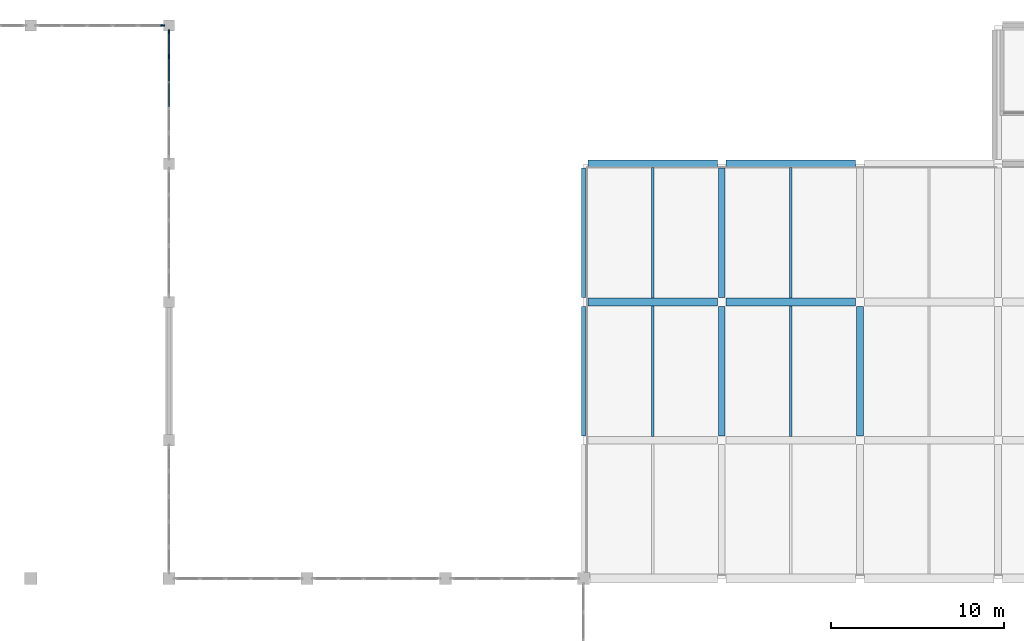
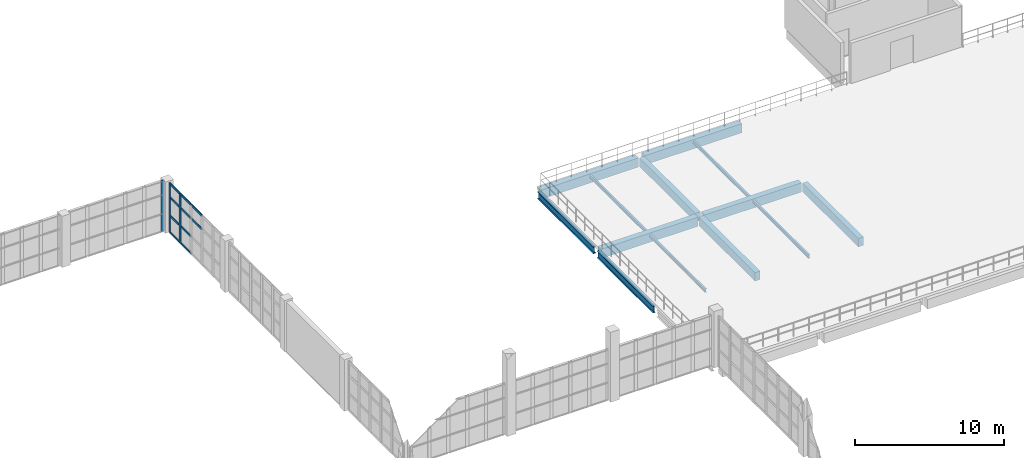
# One storey, part 23 of 66: 13 beams, 13 members, 2 elements without a shape of their own.
"""IFC4 building model written with IfcOpenShell, lengths in metres."""

import ifcopenshell
import ifcopenshell.guid

model = None  # the IFC model being written
_history = None  # IfcOwnerHistory: only IFC2X3 demands one
_inside = {}  # id of a spatial element -> (the spatial element, [elements in it])
_under = {}  # id of a project, library or spatial element -> (it, [spatial elements below it])
_declared = {}  # id of a project -> (the project, [libraries it declares])
_typed = {}  # id of a type object -> (the type object, [elements of that type])
_made_of = {}  # id of a material, layer set ... -> (it, [elements and type objects made of it])


def new_model(schema):
    """Start an empty IFC model of exactly this schema.

    Asked for "IFC4X3", IfcOpenShell would pick the latest addendum, in which some entities
    have other attributes; the version numbers below select the first issue.
    IFC2X3 requires an IfcOwnerHistory on every rooted entity: one is made here for all.
    """
    global model, _history
    if schema == "IFC4X3":
        model = ifcopenshell.file(schema_version=(4, 3, 0, 0))
    else:
        model = ifcopenshell.file(schema=schema)
    _inside.clear()
    _under.clear()
    _declared.clear()
    _typed.clear()
    _made_of.clear()
    _history = None
    if model.schema == "IFC2X3":
        org = make("IfcOrganization", Name="unknown")
        user = make(
            "IfcPersonAndOrganization",
            ThePerson=make("IfcPerson", FamilyName="unknown"),
            TheOrganization=org,
        )
        app = make(
            "IfcApplication",
            ApplicationDeveloper=org,
            Version="unknown",
            ApplicationFullName="unknown",
            ApplicationIdentifier="unknown",
        )
        _history = make(
            "IfcOwnerHistory",
            OwningUser=user,
            OwningApplication=app,
            ChangeAction="ADDED",
            CreationDate=0,
        )
    return model


def make(cls, **values):
    """One entity of the class cls with the attributes given. An attribute that is None is left unset."""
    return model.create_entity(
        cls, **{name: value for name, value in values.items() if value is not None}
    )


def rooted(cls, **values):
    """An entity with a GlobalId (a new one), such as an element, a storey or a relation."""
    return make(cls, GlobalId=ifcopenshell.guid.new(), OwnerHistory=_history, **values)


def si_unit(unit_type, name, prefix=None):
    """IfcSIUnit, for example si_unit("LENGTHUNIT", "METRE", prefix="MILLI")."""
    return make("IfcSIUnit", UnitType=unit_type, Prefix=prefix, Name=name)


def assignment(units):
    """IfcUnitAssignment: the units of a project."""
    return None if units is None else make("IfcUnitAssignment", Units=units)


def point(xyz):
    """IfcCartesianPoint."""
    return None if xyz is None else make("IfcCartesianPoint", Coordinates=xyz)


def direction(xyz):
    """IfcDirection."""
    return None if xyz is None else make("IfcDirection", DirectionRatios=xyz)


def frame(location, z_axis=None, x_axis=None):
    """IfcAxis2Placement3D, a coordinate frame: its origin and axes. An axis left out is left unset."""
    return make(
        "IfcAxis2Placement3D",
        Location=point(location),
        Axis=direction(z_axis),
        RefDirection=direction(x_axis),
    )


def frame_2d(location, x_axis=None):
    """IfcAxis2Placement2D, a coordinate frame in the plane: its origin and x axis."""
    return make(
        "IfcAxis2Placement2D", Location=point(location), RefDirection=direction(x_axis)
    )


def origin():
    """The frame at (0, 0, 0) with its axes left unset."""
    return frame((0.0, 0.0, 0.0))


def origin_2d():
    """The frame at (0, 0) in the plane with its x axis left unset."""
    return frame_2d((0.0, 0.0))


def place(relative_to, where):
    """IfcLocalPlacement: puts the frame where relative to a parent placement (None: the world)."""
    return make(
        "IfcLocalPlacement", PlacementRelTo=relative_to, RelativePlacement=where
    )


def context(
    kind, dimensions, precision=None, world=None, true_north=None, identifier=None
):
    """IfcGeometricRepresentationContext, for example the 3D "Model" context."""
    return make(
        "IfcGeometricRepresentationContext",
        ContextIdentifier=identifier,
        ContextType=kind,
        CoordinateSpaceDimension=dimensions,
        Precision=precision,
        WorldCoordinateSystem=world,
        TrueNorth=true_north,
    )


def subcontext(parent, identifier, kind, view, scale=None):
    """IfcGeometricRepresentationSubContext, for example "Body" below "Model"."""
    return make(
        "IfcGeometricRepresentationSubContext",
        ContextIdentifier=identifier,
        ContextType=kind,
        ParentContext=parent,
        TargetScale=scale,
        TargetView=view,
    )


def project(units=None, contexts=None):
    """IfcProject with its units and contexts."""
    return rooted(
        "IfcProject",
        Name="project",
        RepresentationContexts=contexts,
        UnitsInContext=assignment(units),
    )


def spatial(cls, under=None, at=None, **own):
    """A site, building, storey or space (cls), placed at a placement, below another one or the project."""
    s = rooted(cls, ObjectPlacement=at, **own)
    if under is not None:
        _under.setdefault(under.id(), (under, []))[1].append(s)
    return s


def profile(cls, at=None, kind="AREA", **sizes):
    """A parametric profile (cls). Its sizes go by their IFC names, for example OverallWidth=200.0."""
    return make(cls, ProfileType=kind, Position=at, **sizes)


def rectangle(**sizes):
    """IfcRectangleProfileDef."""
    return profile("IfcRectangleProfileDef", **sizes)


def i_section(**sizes):
    """IfcIShapeProfileDef."""
    return profile("IfcIShapeProfileDef", **sizes)


def extrude(swept, where, along, depth):
    """IfcExtrudedAreaSolid: the profile swept, set in the frame where, extruded along a direction by depth."""
    return make(
        "IfcExtrudedAreaSolid",
        SweptArea=swept,
        Position=where,
        ExtrudedDirection=direction(along),
        Depth=depth,
    )


def shape(context_of_items, identifier, shape_type, items):
    """IfcShapeRepresentation: the items that make up one representation, for example the "Body"."""
    return make(
        "IfcShapeRepresentation",
        ContextOfItems=context_of_items,
        RepresentationIdentifier=identifier,
        RepresentationType=shape_type,
        Items=items,
    )


def material(Name=None, Category=None):
    """IfcMaterial."""
    return make("IfcMaterial", Name=Name, Category=Category)


def layer(
    of_material, thickness, ventilated=None, Name=None, Category=None, Priority=None
):
    """IfcMaterialLayer: one layer of a wall or slab, of a material (None: an air gap)."""
    return make(
        "IfcMaterialLayer",
        Material=of_material,
        LayerThickness=thickness,
        IsVentilated=ventilated,
        Name=Name,
        Category=Category,
        Priority=Priority,
    )


def layer_set(layers, Name=None):
    """IfcMaterialLayerSet."""
    return make("IfcMaterialLayerSet", MaterialLayers=layers, LayerSetName=Name)


def material_profile(
    of_material, cross_section, Name=None, Category=None, Priority=None
):
    """IfcMaterialProfile: a cross section and its material."""
    return make(
        "IfcMaterialProfile",
        Name=Name,
        Material=of_material,
        Profile=cross_section,
        Priority=Priority,
        Category=Category,
    )


def profile_set(profiles, Name=None, composite=None):
    """IfcMaterialProfileSet."""
    return make(
        "IfcMaterialProfileSet",
        Name=Name,
        MaterialProfiles=profiles,
        CompositeProfile=composite,
    )


def made_of(thing, what):
    """Note that an element or type object is made of a material, layer set ...; save() writes the relation."""
    if what is not None:
        _made_of.setdefault(what.id(), (what, []))[1].append(thing)
    return thing


def type_object(cls, material=None, **own):
    """A type object (cls), such as IfcWallType, which elements share."""
    return made_of(rooted(cls, **own), material)


def element(
    cls,
    number,
    at=None,
    inside=None,
    cuts=None,
    type_object=None,
    material=None,
    context=None,
    identifier="Body",
    shape_type=None,
    held_by="IfcProductDefinitionShape",
    body=None,
    shapes=None,
    **own,
):
    """One element of the class cls, such as IfcWall. Its Tag is "e" and its number.

    at: its placement. inside: the storey or other place that contains it. cuts: it is an
    opening in that element (IfcRelVoidsElement). A single representation is given by context,
    identifier, shape_type and body (its items); several are given by shapes. held_by: the class
    of the entity that holds the representations. save() writes the other relations.
    """
    e = rooted(cls, Tag="e%d" % number, ObjectPlacement=at, **own)
    if body is not None:
        shapes = [shape(context, identifier, shape_type, body)]
    if shapes is not None:
        e.Representation = make(held_by, Representations=shapes)
    if inside is not None:
        _inside.setdefault(inside.id(), (inside, []))[1].append(e)
    if cuts is not None:
        rooted(
            "IfcRelVoidsElement", RelatingBuildingElement=cuts, RelatedOpeningElement=e
        )
    if type_object is not None:
        _typed.setdefault(type_object.id(), (type_object, []))[1].append(e)
    return made_of(e, material)


def aggregate(whole, parts):
    """IfcRelAggregates: a whole, such as a stair, and the parts it consists of."""
    return rooted("IfcRelAggregates", RelatingObject=whole, RelatedObjects=parts)


def save(model, path):
    """Write the relations noted so far, then the file.

    IfcRelAggregates (storeys below a building ...), IfcRelContainedInSpatialStructure (elements
    in a storey), IfcRelDefinesByType, IfcRelAssociatesMaterial and IfcRelDeclares: one each for
    every whole, place, type object, material and project.
    """
    for whole, parts in _under.values():
        aggregate(whole, parts)
    for where, things in _inside.values():
        rooted(
            "IfcRelContainedInSpatialStructure",
            RelatedElements=things,
            RelatingStructure=where,
        )
    for kind, things in _typed.values():
        rooted("IfcRelDefinesByType", RelatedObjects=things, RelatingType=kind)
    for what, things in _made_of.values():
        rooted("IfcRelAssociatesMaterial", RelatedObjects=things, RelatingMaterial=what)
    for by, libraries in _declared.values():
        rooted("IfcRelDeclares", RelatingContext=by, RelatedDefinitions=libraries)
    model.write(path)


model = new_model("IFC4")

# Units and contexts
model_context = context("Model", 3, precision=1e-05, world=origin(), true_north=direction((0.0, 1.0)))
body_context = subcontext(model_context, "Body", "Model", "MODEL_VIEW")
ifc_project = project(units=[si_unit("LENGTHUNIT", "METRE"), si_unit("AREAUNIT", "SQUARE_METRE"), si_unit("VOLUMEUNIT", "CUBIC_METRE"), si_unit("PLANEANGLEUNIT", "RADIAN"), si_unit("MASSUNIT", "GRAM", prefix="KILO")], contexts=[model_context])

# Site, building, storey
site_placement = place(None, origin())
site = spatial("IfcSite", under=ifc_project, at=site_placement, CompositionType="ELEMENT")
building_placement = place(site_placement, origin())
building = spatial("IfcBuilding", under=site, at=building_placement, Name="Drelvana Railside Aquatics Centre", CompositionType="ELEMENT")
storey_placement = place(building_placement, frame((0.0, 0.0, 10.199951171875)))
storey = spatial("IfcBuildingStorey", under=building, at=storey_placement, Name="L02", CompositionType="ELEMENT", Elevation=10.199951171875)

# Curtain wall, member
ifc_material_1 = material(Name="Bronze-anodised aluminium curtain wall", Category="aluminium")
ifc_layer = layer(ifc_material_1, 0.219970703125, Name="Bronze-anodised aluminium curtain wall")
ifc_layer_set = layer_set([ifc_layer], Name="Bronze-anodised aluminium curtain wall")
curtain_wall_type = type_object("IfcCurtainWallType", Name="CW-Z3-HIGH", PredefinedType="NOTDEFINED", material=ifc_layer_set)
curtain_wall_1_placement = place(storey_placement, origin())
curtain_wall_1 = element("IfcCurtainWall", 1, at=curtain_wall_1_placement, inside=storey, type_object=curtain_wall_type, Name="Curtain wall CW-03-041", PredefinedType="NOTDEFINED")
ifc_material_2 = material(Name="Bronze-anodised aluminium 6063-T6", Category="aluminium")
ifc_material_profile_1 = material_profile(ifc_material_2, rectangle(XDim=0.080078125, YDim=0.25, at=origin_2d()), Name="ALU-M 80x250")
ifc_profile_set_1 = profile_set([ifc_material_profile_1], Name="Bronze-anodised aluminium 6063-T6")
member_type_1 = type_object("IfcMemberType", Name="CW-Z3-HIGH-MUL", PredefinedType="MULLION", material=ifc_profile_set_1)
member_1_placement = place(storey_placement, frame((71.64111328125, 116.0, -0.005859375), z_axis=(0.0, 0.0, 1.0), x_axis=(0.0, 1.0, 0.0)))
member_1 = element("IfcMember", 2, at=member_1_placement, type_object=member_type_1, Name="CW-03 mullion 6", PredefinedType="MULLION", context=body_context, shape_type="SweptSolid", body=[
    extrude(rectangle(XDim=0.080078125, YDim=0.25, at=origin_2d()), origin(), (0.0, 0.0, 1.0), 4.19580078125),
])
aggregate(curtain_wall_1, [member_1])

# Curtain wall, members
curtain_wall_2_placement = place(storey_placement, origin())
curtain_wall_2 = element("IfcCurtainWall", 3, at=curtain_wall_2_placement, inside=storey, type_object=curtain_wall_type, Name="Curtain wall CW-03-098", PredefinedType="NOTDEFINED")
member_2_placement = place(storey_placement, frame((72.0, 114.20849609375, -0.005859375), z_axis=(0.0, 0.0, 1.0), x_axis=(-1.0, 0.0, 0.0)))
member_2 = element("IfcMember", 4, at=member_2_placement, type_object=member_type_1, Name="CW-03 mullion 5", PredefinedType="MULLION", context=body_context, shape_type="SweptSolid", body=[
    extrude(rectangle(XDim=0.080078125, YDim=0.25, at=origin_2d()), origin(), (0.0, 0.0, 1.0), 4.055908203125),
])
member_3_placement = place(storey_placement, frame((72.0, 115.64111328125, -0.005859375), z_axis=(0.0, 0.0, 1.0), x_axis=(-1.0, 0.0, 0.0)))
member_3 = element("IfcMember", 5, at=member_3_placement, type_object=member_type_1, Name="CW-03 mullion 6", PredefinedType="MULLION", context=body_context, shape_type="SweptSolid", body=[
    extrude(rectangle(XDim=0.080078125, YDim=0.25, at=origin_2d()), origin(), (0.0, 0.0, 1.0), 4.055908203125),
])
ifc_material_profile_2 = material_profile(ifc_material_2, rectangle(XDim=0.179931640625, YDim=0.074951171875, at=origin_2d()), Name="ALU-T 75x180")
ifc_profile_set_2 = profile_set([ifc_material_profile_2], Name="Bronze-anodised aluminium 6063-T6")
member_type_2 = type_object("IfcMemberType", Name="CW-Z3-HIGH-TRN", PredefinedType="USERDEFINED", material=ifc_profile_set_2)
member_4_placement = place(storey_placement, frame((72.0, 111.298828125, 2.9140625), z_axis=(0.0, 1.0, 0.0), x_axis=(0.0, 0.0, 1.0)))
member_4 = element("IfcMember", 6, at=member_4_placement, type_object=member_type_2, Name="CW-03 transom 3.3", ObjectType="TRANSOM", PredefinedType="USERDEFINED", context=body_context, shape_type="SweptSolid", body=[
    extrude(rectangle(XDim=0.179931640625, YDim=0.074951171875, at=origin_2d()), origin(), (0.0, 0.0, 1.0), 1.40234375),
])
member_5_placement = place(storey_placement, frame((72.0, 111.298828125, 4.012451171875), z_axis=(0.0, 1.0, 0.0), x_axis=(0.0, 0.0, 1.0)))
member_5 = element("IfcMember", 7, at=member_5_placement, type_object=member_type_2, Name="CW-03 transom 3.4", ObjectType="TRANSOM", PredefinedType="USERDEFINED", context=body_context, shape_type="SweptSolid", body=[
    extrude(rectangle(XDim=0.179931640625, YDim=0.074951171875, at=origin_2d()), origin(), (0.0, 0.0, 1.0), 1.40234375),
])
member_6_placement = place(storey_placement, frame((72.0, 112.771240234375, 0.031494140625), z_axis=(0.0, 1.0, 0.0), x_axis=(0.0, 0.0, 1.0)))
member_6 = element("IfcMember", 8, at=member_6_placement, type_object=member_type_2, Name="CW-03 transom 4.1", ObjectType="TRANSOM", PredefinedType="USERDEFINED", context=body_context, shape_type="SweptSolid", body=[
    extrude(rectangle(XDim=0.179931640625, YDim=0.074951171875, at=origin_2d()), origin(), (0.0, 0.0, 1.0), 1.40234375),
])
member_7_placement = place(storey_placement, frame((72.0, 112.771240234375, 1.4140625), z_axis=(0.0, 1.0, 0.0), x_axis=(0.0, 0.0, 1.0)))
member_7 = element("IfcMember", 9, at=member_7_placement, type_object=member_type_2, Name="CW-03 transom 4.2", ObjectType="TRANSOM", PredefinedType="USERDEFINED", context=body_context, shape_type="SweptSolid", body=[
    extrude(rectangle(XDim=0.179931640625, YDim=0.074951171875, at=origin_2d()), origin(), (0.0, 0.0, 1.0), 1.40234375),
])
member_8_placement = place(storey_placement, frame((72.0, 112.771240234375, 2.9140625), z_axis=(0.0, 1.0, 0.0), x_axis=(0.0, 0.0, 1.0)))
member_8 = element("IfcMember", 10, at=member_8_placement, type_object=member_type_2, Name="CW-03 transom 4.3", ObjectType="TRANSOM", PredefinedType="USERDEFINED", context=body_context, shape_type="SweptSolid", body=[
    extrude(rectangle(XDim=0.179931640625, YDim=0.074951171875, at=origin_2d()), origin(), (0.0, 0.0, 1.0), 1.40234375),
])
member_9_placement = place(storey_placement, frame((72.0, 112.771240234375, 4.012451171875), z_axis=(0.0, 1.0, 0.0), x_axis=(0.0, 0.0, 1.0)))
member_9 = element("IfcMember", 11, at=member_9_placement, type_object=member_type_2, Name="CW-03 transom 4.4", ObjectType="TRANSOM", PredefinedType="USERDEFINED", context=body_context, shape_type="SweptSolid", body=[
    extrude(rectangle(XDim=0.179931640625, YDim=0.074951171875, at=origin_2d()), origin(), (0.0, 0.0, 1.0), 1.40234375),
])
member_10_placement = place(storey_placement, frame((72.0, 114.24365234375, 0.031494140625), z_axis=(0.0, 1.0, 0.0), x_axis=(0.0, 0.0, 1.0)))
member_10 = element("IfcMember", 12, at=member_10_placement, type_object=member_type_2, Name="CW-03 transom 5.1", ObjectType="TRANSOM", PredefinedType="USERDEFINED", context=body_context, shape_type="SweptSolid", body=[
    extrude(rectangle(XDim=0.179931640625, YDim=0.074951171875, at=origin_2d()), origin(), (0.0, 0.0, 1.0), 1.3623046875),
])
member_11_placement = place(storey_placement, frame((72.0, 114.24365234375, 1.4140625), z_axis=(0.0, 1.0, 0.0), x_axis=(0.0, 0.0, 1.0)))
member_11 = element("IfcMember", 13, at=member_11_placement, type_object=member_type_2, Name="CW-03 transom 5.2", ObjectType="TRANSOM", PredefinedType="USERDEFINED", context=body_context, shape_type="SweptSolid", body=[
    extrude(rectangle(XDim=0.179931640625, YDim=0.074951171875, at=origin_2d()), origin(), (0.0, 0.0, 1.0), 1.3623046875),
])
member_12_placement = place(storey_placement, frame((72.0, 114.24365234375, 2.9140625), z_axis=(0.0, 1.0, 0.0), x_axis=(0.0, 0.0, 1.0)))
member_12 = element("IfcMember", 14, at=member_12_placement, type_object=member_type_2, Name="CW-03 transom 5.3", ObjectType="TRANSOM", PredefinedType="USERDEFINED", context=body_context, shape_type="SweptSolid", body=[
    extrude(rectangle(XDim=0.179931640625, YDim=0.074951171875, at=origin_2d()), origin(), (0.0, 0.0, 1.0), 1.3623046875),
])
member_13_placement = place(storey_placement, frame((72.0, 114.24365234375, 4.012451171875), z_axis=(0.0, 1.0, 0.0), x_axis=(0.0, 0.0, 1.0)))
member_13 = element("IfcMember", 15, at=member_13_placement, type_object=member_type_2, Name="CW-03 transom 5.4", ObjectType="TRANSOM", PredefinedType="USERDEFINED", context=body_context, shape_type="SweptSolid", body=[
    extrude(rectangle(XDim=0.179931640625, YDim=0.074951171875, at=origin_2d()), origin(), (0.0, 0.0, 1.0), 1.3623046875),
])
aggregate(curtain_wall_2, [member_2, member_3, member_4, member_5, member_6, member_7, member_8, member_9, member_10, member_11, member_12, member_13])

# Beams
ifc_material_3 = material(Name="Concrete C40/50", Category="concrete")
ifc_material_profile_3 = material_profile(ifc_material_3, rectangle(XDim=0.39990234375, YDim=0.699951171875, at=origin_2d()), Name="RC 400x700")
ifc_profile_set_3 = profile_set([ifc_material_profile_3], Name="Concrete C40/50")
beam_type_1 = type_object("IfcBeamType", Name="STR-BM-BM-03-RC-400x700", PredefinedType="BEAM", material=ifc_profile_set_3)
for number, where, z_axis, x_axis, name in (
    (16, (104.0, 92.25, -0.599853515625), (0.0, 1.0, 0.0), (-1.0, 0.0, 0.0), "Girder BM-03 (L02)"),
    (17, (104.0, 100.25, -0.599853515625), (0.0, 1.0, 0.0), (-1.0, 0.0, 0.0), "Girder BM-03 (L02)"),
    (18, (112.0, 92.25, -0.599853515625), (0.0, 1.0, 0.0), (-1.0, 0.0, 0.0), "Girder BM-03 (L02)"),
):
    element("IfcBeam", number, at=place(storey_placement, frame(where, z_axis=z_axis, x_axis=x_axis)), inside=storey, type_object=beam_type_1, Name=name, PredefinedType="BEAM", context=body_context, shape_type="SweptSolid", body=[
        extrude(rectangle(XDim=0.39990234375, YDim=0.699951171875, at=origin_2d()), origin(), (0.0, 0.0, 1.0), 7.5),
    ])
ifc_material_profile_4 = material_profile(ifc_material_3, rectangle(XDim=0.449951171875, YDim=0.75, at=origin_2d()), Name="RC 450x750")
ifc_profile_set_4 = profile_set([ifc_material_profile_4], Name="Concrete C40/50")
beam_type_2 = type_object("IfcBeamType", Name="STR-BM-BM-04-RC-450x750", PredefinedType="BEAM", material=ifc_profile_set_4)
for number, where, z_axis, x_axis, name in (
    (19, (96.25, 100.0, -0.625), (1.0, 0.0, 0.0), (0.0, 1.0, 0.0), "Girder BM-04 (L02)"),
    (20, (104.25, 100.0, -0.625), (1.0, 0.0, 0.0), (0.0, 1.0, 0.0), "Girder BM-04 (L02)"),
    (21, (96.25, 108.0, -0.625), (1.0, 0.0, 0.0), (0.0, 1.0, 0.0), "Girder BM-04 (L02)"),
    (22, (104.25, 108.0, -0.625), (1.0, 0.0, 0.0), (0.0, 1.0, 0.0), "Girder BM-04 (L02)"),
):
    element("IfcBeam", number, at=place(storey_placement, frame(where, z_axis=z_axis, x_axis=x_axis)), inside=storey, type_object=beam_type_2, Name=name, PredefinedType="BEAM", context=body_context, shape_type="SweptSolid", body=[
        extrude(rectangle(XDim=0.449951171875, YDim=0.75, at=origin_2d()), origin(), (0.0, 0.0, 1.0), 7.5),
    ])
ifc_material_4 = material(Name="Structural steel S355", Category="steel")
ifc_material_profile_5 = material_profile(ifc_material_4, i_section(OverallWidth=0.2099609375, OverallDepth=0.550048828125, WebThickness=0.010986328125, FlangeThickness=0.01708984375, at=origin_2d()), Name="IPE 550")
ifc_profile_set_5 = profile_set([ifc_material_profile_5], Name="Structural steel S355")
beam_type_3 = type_object("IfcBeamType", Name="STR-SBM-SB-04-IPE-550", PredefinedType="SPANDREL", material=ifc_profile_set_5)
for number, where, z_axis, x_axis, name in (
    (23, (96.0, 92.25, -0.52490234375), (0.0, 1.0, 0.0), (-1.0, 0.0, 0.0), "Girder SB-04 (L02)"),
    (24, (96.0, 100.25, -0.52490234375), (0.0, 1.0, 0.0), (-1.0, 0.0, 0.0), "Girder SB-04 (L02)"),
):
    element("IfcBeam", number, at=place(storey_placement, frame(where, z_axis=z_axis, x_axis=x_axis)), inside=storey, type_object=beam_type_3, Name=name, PredefinedType="SPANDREL", context=body_context, shape_type="SweptSolid", body=[
        extrude(i_section(OverallWidth=0.2099609375, OverallDepth=0.550048828125, WebThickness=0.010986328125, FlangeThickness=0.01708984375, at=origin_2d()), origin(), (0.0, 0.0, 1.0), 7.5),
    ])
ifc_material_profile_6 = material_profile(ifc_material_4, i_section(OverallWidth=0.135009765625, OverallDepth=0.27001953125, WebThickness=0.006591796875, FlangeThickness=0.01025390625, at=origin_2d()), Name="IPE 270")
ifc_profile_set_6 = profile_set([ifc_material_profile_6], Name="Structural steel S355")
beam_type_4 = type_object("IfcBeamType", Name="STR-SBM-SJ-02-IPE-270", PredefinedType="JOIST", material=ifc_profile_set_6)
for number, where, z_axis, x_axis, name in (
    (25, (100.0, 92.22509765625, -0.385009765625), (0.0, 1.0, 0.0), (-1.0, 0.0, 0.0), "Secondary floor joist SJ-02 (L02)"),
    (26, (100.0, 100.22509765625, -0.385009765625), (0.0, 1.0, 0.0), (-1.0, 0.0, 0.0), "Secondary floor joist SJ-02 (L02)"),
    (27, (108.0, 92.22509765625, -0.385009765625), (0.0, 1.0, 0.0), (-1.0, 0.0, 0.0), "Secondary floor joist SJ-02 (L02)"),
    (28, (108.0, 100.22509765625, -0.385009765625), (0.0, 1.0, 0.0), (-1.0, 0.0, 0.0), "Secondary floor joist SJ-02 (L02)"),
):
    element("IfcBeam", number, at=place(storey_placement, frame(where, z_axis=z_axis, x_axis=x_axis)), inside=storey, type_object=beam_type_4, Name=name, PredefinedType="JOIST", context=body_context, shape_type="SweptSolid", body=[
        extrude(i_section(OverallWidth=0.135009765625, OverallDepth=0.27001953125, WebThickness=0.006591796875, FlangeThickness=0.01025390625, at=origin_2d()), origin(), (0.0, 0.0, 1.0), 7.5498046875),
    ])

save(model, "model.ifc")
